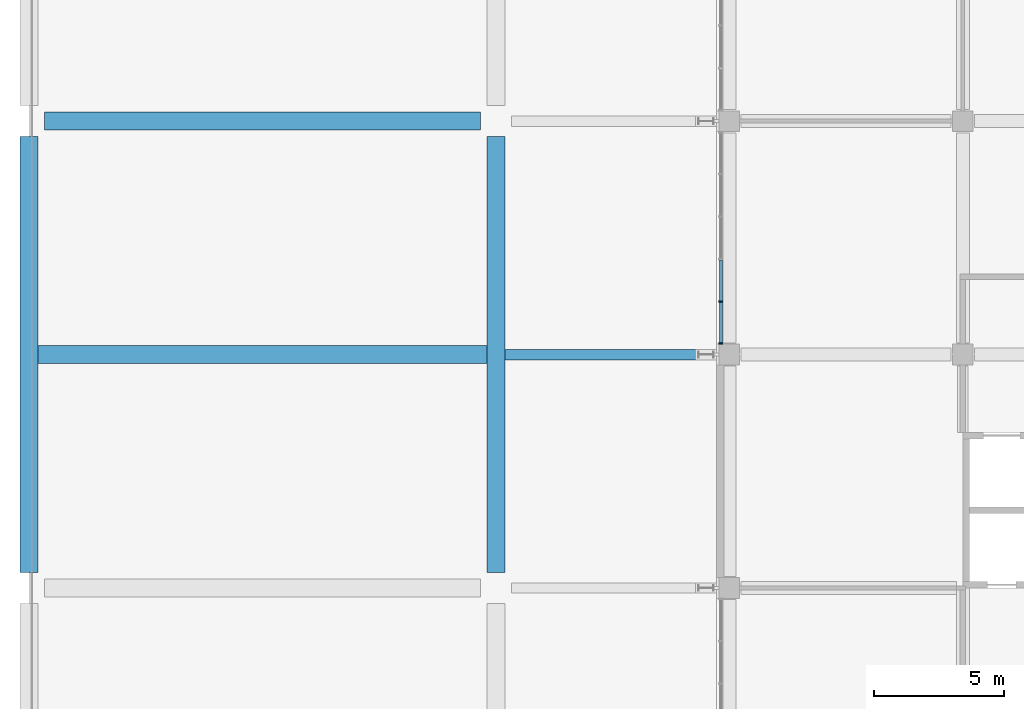
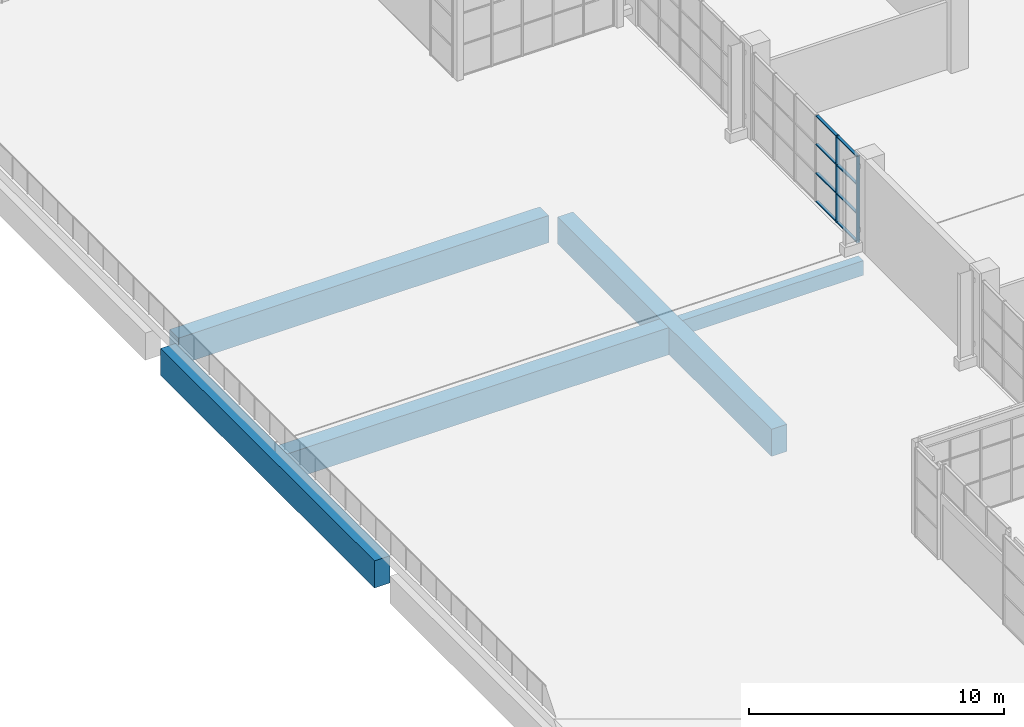
# One storey, part 35 of 168: 10 members, 5 beams, 1 element without a shape of its own.
"""IFC4 building model written with IfcOpenShell, lengths in metres."""

from ifc_helpers import new_model, si_unit, direction, frame, origin, origin_2d, place, context, subcontext, project, spatial, rectangle, extrude, material, material_profile, profile_set, type_object, element, aggregate, save


model = new_model("IFC4")

# Units and contexts
model_context = context("Model", 3, precision=1e-05, world=origin(), true_north=direction((0.0, 1.0)))
body_context = subcontext(model_context, "Body", "Model", "MODEL_VIEW")
ifc_project = project(units=[si_unit("LENGTHUNIT", "METRE"), si_unit("AREAUNIT", "SQUARE_METRE"), si_unit("VOLUMEUNIT", "CUBIC_METRE"), si_unit("PLANEANGLEUNIT", "RADIAN"), si_unit("MASSUNIT", "GRAM", prefix="KILO")], contexts=[model_context])

# Site, building, storey
site_placement = place(None, origin())
site = spatial("IfcSite", under=ifc_project, at=site_placement, CompositionType="ELEMENT")
building_placement = place(site_placement, origin())
building = spatial("IfcBuilding", under=site, at=building_placement, Name="Silverbay Arena", CompositionType="ELEMENT")
storey_placement = place(building_placement, frame((0.0, 0.0, 7.0)))
storey = spatial("IfcBuildingStorey", under=building, at=storey_placement, Name="L01", CompositionType="ELEMENT", Elevation=7.0)

# Curtain wall, members
ifc_material_1 = material(Name="Aluminium framed curtain wall", Category="aluminium")
curtain_wall_type = type_object("IfcCurtainWallType", Name="Curtain wall 8200 x 4150", PredefinedType="NOTDEFINED", material=ifc_material_1)
curtain_wall_placement = place(storey_placement, origin())
curtain_wall = element("IfcCurtainWall", 1, at=curtain_wall_placement, inside=storey, type_object=curtain_wall_type, Name="West curtain wall L01 bay 8", PredefinedType="NOTDEFINED")
ifc_material_2 = material(Name="Aluminium", Category="aluminium")
ifc_material_profile_1 = material_profile(ifc_material_2, rectangle(XDim=0.159912109375, YDim=0.06005859375, at=origin_2d()), Name="Mullion 60 x 160")
ifc_profile_set_1 = profile_set([ifc_material_profile_1], Name="Aluminium")
member_type_1 = type_object("IfcMemberType", Name="Mullion 60 x 160", PredefinedType="MULLION", material=ifc_profile_set_1)
member_1_placement = place(storey_placement, frame((26.669921875, 83.0400390625, 0.0), z_axis=(0.0, 0.0, 1.0), x_axis=(1.0, 0.0, 0.0)))
member_1 = element("IfcMember", 2, at=member_1_placement, type_object=member_type_1, Name="CW7 mullion 5", PredefinedType="MULLION", context=body_context, shape_type="SweptSolid", body=[
    extrude(rectangle(XDim=0.159912109375, YDim=0.06005859375, at=origin_2d()), origin(), (0.0, 0.0, 1.0), 4.14990234375),
])
member_2_placement = place(storey_placement, frame((26.669921875, 81.429931640625, 0.0), z_axis=(0.0, 0.0, 1.0), x_axis=(1.0, 0.0, 0.0)))
member_2 = element("IfcMember", 3, at=member_2_placement, type_object=member_type_1, Name="CW7 mullion 6", PredefinedType="MULLION", context=body_context, shape_type="SweptSolid", body=[
    extrude(rectangle(XDim=0.159912109375, YDim=0.06005859375, at=origin_2d()), origin(), (0.0, 0.0, 1.0), 4.14990234375),
])

# Beams
ifc_material_3 = material(Name="Concrete Grade C45", Category="concrete")
ifc_material_profile_2 = material_profile(ifc_material_3, rectangle(XDim=0.39990234375, YDim=0.699951171875, at=origin_2d()), Name="RC 400x700")
ifc_profile_set_2 = profile_set([ifc_material_profile_2], Name="Concrete Grade C45")
beam_type_1 = type_object("IfcBeamType", Name="RC beam 400x700", PredefinedType="BEAM", material=ifc_profile_set_2)
beam_1_placement = place(storey_placement, frame((18.35009765625, 81.0, -0.800048828125), z_axis=(1.0, 0.0, 0.0), x_axis=(0.0, 1.0, 0.0)))
element("IfcBeam", 4, at=beam_1_placement, inside=storey, type_object=beam_type_1, Name="Deck row beam 082", PredefinedType="BEAM", context=body_context, shape_type="SweptSolid", body=[
    extrude(rectangle(XDim=0.39990234375, YDim=0.699951171875, at=origin_2d()), origin(), (0.0, 0.0, 1.0), 8.199951171875),
])
ifc_material_4 = material(Name="Concrete Grade C45", Category="concrete")
ifc_material_profile_3 = material_profile(ifc_material_4, rectangle(XDim=0.699951171875, YDim=1.300048828125, at=origin_2d()), Name="RC 700x1300")
ifc_profile_set_3 = profile_set([ifc_material_profile_3], Name="Concrete Grade C45")
beam_type_2 = type_object("IfcBeamType", Name="RC girder 700x1300", PredefinedType="BEAM", material=ifc_profile_set_3)
beam_2_placement = place(storey_placement, frame((0.35009765625, 81.0, -1.10009765625), z_axis=(1.0, 0.0, 0.0), x_axis=(0.0, 1.0, 0.0)))
element("IfcBeam", 5, at=beam_2_placement, inside=storey, type_object=beam_type_2, Name="Deck row beam 081", PredefinedType="BEAM", context=body_context, shape_type="SweptSolid", body=[
    extrude(rectangle(XDim=0.699951171875, YDim=1.300048828125, at=origin_2d()), origin(), (0.0, 0.0, 1.0), 17.2998046875),
])
for number, where, z_axis, x_axis, name in (
    (6, (0.60009765625, 90.0, -1.10009765625), (1.0, 0.0, 0.0), (0.0, 1.0, 0.0), "Deck row beam 083"),
    (7, (0.0, 72.60009765625, -1.10009765625), (0.0, 1.0, 0.0), (-1.0, 0.0, 0.0), "Deck girder 139"),
    (8, (18.0, 72.60009765625, -1.10009765625), (0.0, 1.0, 0.0), (-1.0, 0.0, 0.0), "Deck girder 139"),
):
    element("IfcBeam", number, at=place(storey_placement, frame(where, z_axis=z_axis, x_axis=x_axis)), inside=storey, type_object=beam_type_2, Name=name, PredefinedType="BEAM", context=body_context, shape_type="SweptSolid", body=[
        extrude(rectangle(XDim=0.699951171875, YDim=1.300048828125, at=origin_2d()), origin(), (0.0, 0.0, 1.0), 16.7998046875),
    ])

# Member
ifc_material_5 = material(Name="Aluminium", Category="aluminium")
ifc_material_profile_4 = material_profile(ifc_material_5, rectangle(XDim=0.1201171875, YDim=0.050048828125, at=origin_2d()), Name="Transom 50 x 120")
ifc_profile_set_4 = profile_set([ifc_material_profile_4], Name="Aluminium")
member_type_2 = type_object("IfcMemberType", Name="Transom 50 x 120", PredefinedType="USERDEFINED", material=ifc_profile_set_4)
member_3_placement = place(storey_placement, frame((26.669921875, 84.64990234375, 0.02490234375), z_axis=(0.0, -1.0, 0.0), x_axis=(1.0, 0.0, 0.0)))
member_3 = element("IfcMember", 9, at=member_3_placement, type_object=member_type_2, Name="CW7 transom 4.1", ObjectType="TRANSOM", PredefinedType="USERDEFINED", context=body_context, shape_type="SweptSolid", body=[
    extrude(rectangle(XDim=0.1201171875, YDim=0.050048828125, at=origin_2d()), origin(), (0.0, 0.0, 1.0), 1.579833984375),
])

member_4_placement = place(storey_placement, frame((26.669921875, 84.64990234375, 1.38330078125), z_axis=(0.0, -1.0, 0.0), x_axis=(1.0, 0.0, 0.0)))
member_4 = element("IfcMember", 10, at=member_4_placement, type_object=member_type_2, Name="CW7 transom 4.2", ObjectType="TRANSOM", PredefinedType="USERDEFINED", context=body_context, shape_type="SweptSolid", body=[
    extrude(rectangle(XDim=0.1201171875, YDim=0.050048828125, at=origin_2d()), origin(), (0.0, 0.0, 1.0), 1.579833984375),
])

member_5_placement = place(storey_placement, frame((26.669921875, 84.64990234375, 2.7666015625), z_axis=(0.0, -1.0, 0.0), x_axis=(1.0, 0.0, 0.0)))
member_5 = element("IfcMember", 11, at=member_5_placement, type_object=member_type_2, Name="CW7 transom 4.3", ObjectType="TRANSOM", PredefinedType="USERDEFINED", context=body_context, shape_type="SweptSolid", body=[
    extrude(rectangle(XDim=0.1201171875, YDim=0.050048828125, at=origin_2d()), origin(), (0.0, 0.0, 1.0), 1.579833984375),
])

member_6_placement = place(storey_placement, frame((26.669921875, 84.64990234375, 4.125), z_axis=(0.0, -1.0, 0.0), x_axis=(1.0, 0.0, 0.0)))
member_6 = element("IfcMember", 12, at=member_6_placement, type_object=member_type_2, Name="CW7 transom 4.4", ObjectType="TRANSOM", PredefinedType="USERDEFINED", context=body_context, shape_type="SweptSolid", body=[
    extrude(rectangle(XDim=0.1201171875, YDim=0.050048828125, at=origin_2d()), origin(), (0.0, 0.0, 1.0), 1.579833984375),
])

member_7_placement = place(storey_placement, frame((26.669921875, 83.010009765625, 0.02490234375), z_axis=(0.0, -1.0, 0.0), x_axis=(1.0, 0.0, 0.0)))
member_7 = element("IfcMember", 13, at=member_7_placement, type_object=member_type_2, Name="CW7 transom 5.1", ObjectType="TRANSOM", PredefinedType="USERDEFINED", context=body_context, shape_type="SweptSolid", body=[
    extrude(rectangle(XDim=0.1201171875, YDim=0.050048828125, at=origin_2d()), origin(), (0.0, 0.0, 1.0), 1.550048828125),
])

member_8_placement = place(storey_placement, frame((26.669921875, 83.010009765625, 1.38330078125), z_axis=(0.0, -1.0, 0.0), x_axis=(1.0, 0.0, 0.0)))
member_8 = element("IfcMember", 14, at=member_8_placement, type_object=member_type_2, Name="CW7 transom 5.2", ObjectType="TRANSOM", PredefinedType="USERDEFINED", context=body_context, shape_type="SweptSolid", body=[
    extrude(rectangle(XDim=0.1201171875, YDim=0.050048828125, at=origin_2d()), origin(), (0.0, 0.0, 1.0), 1.550048828125),
])

member_9_placement = place(storey_placement, frame((26.669921875, 83.010009765625, 2.7666015625), z_axis=(0.0, -1.0, 0.0), x_axis=(1.0, 0.0, 0.0)))
member_9 = element("IfcMember", 15, at=member_9_placement, type_object=member_type_2, Name="CW7 transom 5.3", ObjectType="TRANSOM", PredefinedType="USERDEFINED", context=body_context, shape_type="SweptSolid", body=[
    extrude(rectangle(XDim=0.1201171875, YDim=0.050048828125, at=origin_2d()), origin(), (0.0, 0.0, 1.0), 1.550048828125),
])

member_10_placement = place(storey_placement, frame((26.669921875, 83.010009765625, 4.125), z_axis=(0.0, -1.0, 0.0), x_axis=(1.0, 0.0, 0.0)))
member_10 = element("IfcMember", 16, at=member_10_placement, type_object=member_type_2, Name="CW7 transom 5.4", ObjectType="TRANSOM", PredefinedType="USERDEFINED", context=body_context, shape_type="SweptSolid", body=[
    extrude(rectangle(XDim=0.1201171875, YDim=0.050048828125, at=origin_2d()), origin(), (0.0, 0.0, 1.0), 1.550048828125),
])

aggregate(curtain_wall, [member_1, member_2, member_3, member_4, member_5, member_6, member_7, member_8, member_9, member_10])

save(model, "model.ifc")
